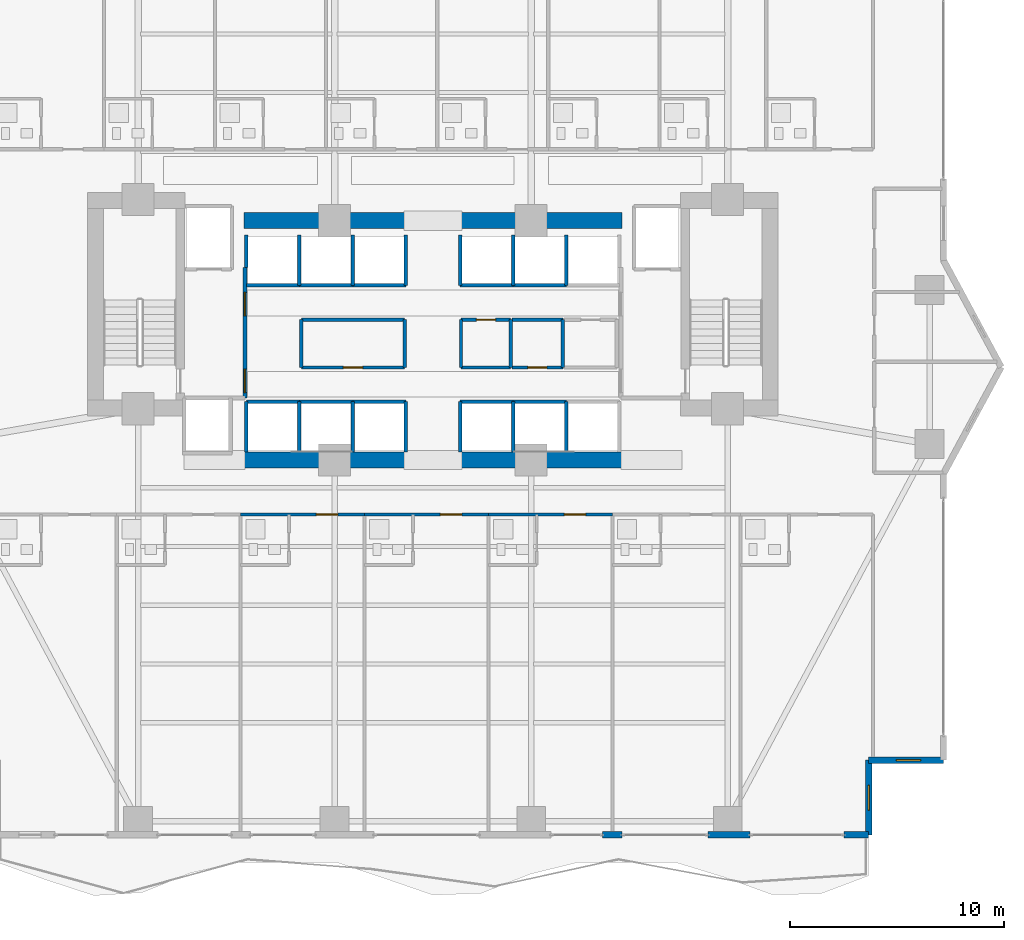
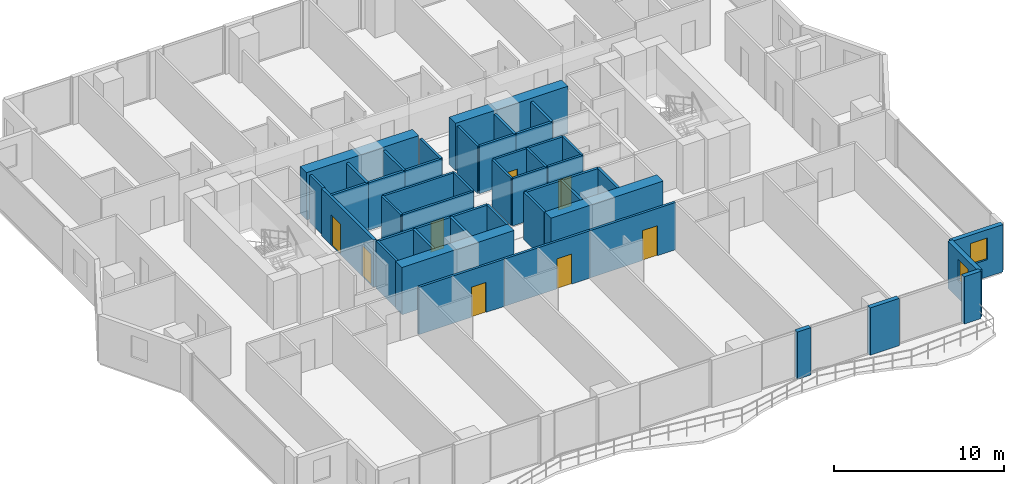
# One storey, part 22 of 29: 48 walls, 8 doors, 2 windows, 10 openings.
"""IFC4 building model written with IfcOpenShell, lengths in metres."""

from ifc_helpers import new_model, si_unit, direction, frame, frame_2d, origin, place, context, subcontext, project, spatial, rectangle, extrude, material, layer, layer_set, type_object, element, fill, save


model = new_model("IFC4")

# Units and contexts
model_context = context("Model", 3, precision=1e-05, world=origin(), true_north=direction((0.0, 1.0)))
body_context = subcontext(model_context, "Body", "Model", "MODEL_VIEW")
ifc_project = project(units=[si_unit("LENGTHUNIT", "METRE"), si_unit("AREAUNIT", "SQUARE_METRE"), si_unit("VOLUMEUNIT", "CUBIC_METRE"), si_unit("PLANEANGLEUNIT", "RADIAN"), si_unit("MASSUNIT", "GRAM", prefix="KILO")], contexts=[model_context])

# Site, building, storey
site_placement = place(None, origin())
site = spatial("IfcSite", under=ifc_project, at=site_placement, CompositionType="ELEMENT")
building_placement = place(site_placement, origin())
building = spatial("IfcBuilding", under=site, at=building_placement, Name="Zuhayl Quay Hotel", CompositionType="ELEMENT")
storey_placement = place(building_placement, frame((0.0, 0.0, 158.550048828125)))
storey = spatial("IfcBuildingStorey", under=building, at=storey_placement, Name="L40", CompositionType="ELEMENT", Elevation=158.550048828125)

# Walls
ifc_material_1 = material(Name="Concrete C60/75", Category="concrete")
ifc_layer_1 = layer(ifc_material_1, 0.75, Name="Concrete C60/75", Category="concrete")
ifc_layer_set_1 = layer_set([ifc_layer_1], Name="Concrete C60/75")
wall_type_1 = type_object("IfcWallType", Name="WL_CORE_750", PredefinedType="SHEAR", material=ifc_layer_set_1)
for number, where, z_axis, x_axis, name in (
    (1, (-8.85009765625, 2.14990234375, 0.0), (0.0, 0.0, 1.0), (1.0, 0.0, 0.0), "L40 Core Shear Wall CW_SC_W"),
    (2, (1.25, 2.14990234375, 0.0), (0.0, 0.0, 1.0), (1.0, 0.0, 0.0), "L40 Core Shear Wall CW_SC_E"),
    (3, (-8.85009765625, 13.35009765625, 0.0), (0.0, 0.0, 1.0), (1.0, 0.0, 0.0), "L40 Core Shear Wall CW_NC_W"),
    (4, (1.25, 13.35009765625, 0.0), (0.0, 0.0, 1.0), (1.0, 0.0, 0.0), "L40 Core Shear Wall CW_NC_E"),
):
    element("IfcWall", number, at=place(storey_placement, frame(where, z_axis=z_axis, x_axis=x_axis)), inside=storey, type_object=wall_type_1, Name=name, PredefinedType="SHEAR", context=body_context, shape_type="SweptSolid", body=[
        extrude(rectangle(XDim=7.60009765625, YDim=0.75, at=frame_2d((3.800048828125, 0.0))), origin(), (0.0, 0.0, 1.0), 3.389892578125),
    ])

# Wall, opening, window
ifc_material_2 = material(Name="Precast concrete C45/55", Category="concrete")
ifc_layer_2 = layer(ifc_material_2, 0.300048828125, Name="Precast concrete C45/55", Category="concrete")
ifc_layer_set_2 = layer_set([ifc_layer_2], Name="Precast concrete C45/55")
wall_type_2 = type_object("IfcWallType", Name="WL_EXT_300", PredefinedType="STANDARD", material=ifc_layer_set_2)
wall_1_placement = place(storey_placement, frame((23.89990234375, -11.89990234375, 0.0), z_axis=(0.0, 0.0, 1.0), x_axis=(-1.0, 0.0, 0.0)))
wall_1 = element("IfcWall", 5, at=wall_1_placement, inside=storey, type_object=wall_type_2, Name="L40 Exterior Precast Wall ENV_L40_EW15", PredefinedType="STANDARD", context=body_context, shape_type="SweptSolid", body=[
    extrude(rectangle(XDim=3.5, YDim=0.300048828125, at=frame_2d((1.75, 0.0))), origin(), (0.0, 0.0, 1.0), 3.389892578125),
])
opening_1_placement = place(wall_1_placement, frame((1.06494140625, 0.0, 1.25)))
opening_1 = element("IfcOpeningElement", 6, at=opening_1_placement, cuts=wall_1, Name="Opening W01N", PredefinedType="OPENING", context=body_context, shape_type="SweptSolid", body=[
    extrude(rectangle(XDim=1.14990234375, YDim=1.550048828125, at=frame_2d((0.574951171875, 0.77490234375))), frame((0.0, 0.159912109375, 0.0), z_axis=(0.0, -1.0, 0.0), x_axis=(1.0, 0.0, 0.0)), (0.0, 0.0, 1.0), 0.320068359375),
])
ifc_material_3 = material(Name="Dark Ceramic-Fritted Solar Glass", Category="glass")
window_type = type_object("IfcWindowType", Name="WN_NOTCH_1350", PartitioningType="SINGLE_PANEL", PredefinedType="WINDOW", material=ifc_material_3)
window_1_placement = place(opening_1_placement, origin())
window_1 = element("IfcWindow", 7, at=window_1_placement, inside=storey, type_object=window_type, Name="L40 Corner Notch Window 15", OverallHeight=1.550048828125, OverallWidth=1.14990234375, PartitioningType="SINGLE_PANEL", PredefinedType="WINDOW", context=body_context, shape_type="SweptSolid", body=[
    extrude(rectangle(XDim=1.14990234375, YDim=1.550048828125, at=frame_2d((0.574951171875, 0.77490234375))), frame((0.0, 0.030029296875, 0.0), z_axis=(0.0, -1.0, 0.0), x_axis=(1.0, 0.0, 0.0)), (0.0, 0.0, 1.0), 0.06005859375),
])
fill(opening_1, window_1)

wall_2_placement = place(storey_placement, frame((20.39990234375, -11.89990234375, 0.0), z_axis=(0.0, 0.0, 1.0), x_axis=(0.0, -1.0, 0.0)))
wall_2 = element("IfcWall", 8, at=wall_2_placement, inside=storey, type_object=wall_type_2, Name="L40 Exterior Precast Wall ENV_L40_EW16", PredefinedType="STANDARD", context=body_context, shape_type="SweptSolid", body=[
    extrude(rectangle(XDim=3.5, YDim=0.300048828125, at=frame_2d((1.75, 0.0))), origin(), (0.0, 0.0, 1.0), 3.389892578125),
])
opening_2_placement = place(wall_2_placement, frame((1.18505859375, 0.0, 1.25)))
opening_2 = element("IfcOpeningElement", 9, at=opening_2_placement, cuts=wall_2, Name="Opening W01N", PredefinedType="OPENING", context=body_context, shape_type="SweptSolid", body=[
    extrude(rectangle(XDim=1.14990234375, YDim=1.550048828125, at=frame_2d((0.574951171875, 0.77490234375))), frame((0.0, 0.159912109375, 0.0), z_axis=(0.0, -1.0, 0.0), x_axis=(1.0, 0.0, 0.0)), (0.0, 0.0, 1.0), 0.320068359375),
])
window_2_placement = place(opening_2_placement, origin())
window_2 = element("IfcWindow", 10, at=window_2_placement, inside=storey, type_object=window_type, Name="L40 Corner Notch Window 16", OverallHeight=1.550048828125, OverallWidth=1.14990234375, PartitioningType="SINGLE_PANEL", PredefinedType="WINDOW", context=body_context, shape_type="SweptSolid", body=[
    extrude(rectangle(XDim=1.14990234375, YDim=1.550048828125, at=frame_2d((0.574951171875, 0.77490234375))), frame((0.0, 0.030029296875, 0.0), z_axis=(0.0, -1.0, 0.0), x_axis=(1.0, 0.0, 0.0)), (0.0, 0.0, 1.0), 0.06005859375),
])
fill(opening_2, window_2)

# Walls
wall_3_placement = place(storey_placement, frame((20.39990234375, -15.39990234375, 0.0), z_axis=(0.0, 0.0, 1.0), x_axis=(-1.0, 0.0, 0.0)))
element("IfcWall", 11, at=wall_3_placement, inside=storey, type_object=wall_type_2, Name="L40 Exterior Precast Wall ENV_L40_S_EW1", PredefinedType="STANDARD", context=body_context, shape_type="SweptSolid", body=[
    extrude(rectangle(XDim=1.14990234375, YDim=0.300048828125, at=frame_2d((0.574951171875, 0.0))), origin(), (0.0, 0.0, 1.0), 3.389892578125),
])
wall_4_placement = place(storey_placement, frame((14.85009765625, -15.39990234375, 0.0), z_axis=(0.0, 0.0, 1.0), x_axis=(-1.0, 0.0, 0.0)))
element("IfcWall", 12, at=wall_4_placement, inside=storey, type_object=wall_type_2, Name="L40 Exterior Precast Wall ENV_L40_S_EW2", PredefinedType="STANDARD", context=body_context, shape_type="SweptSolid", body=[
    extrude(rectangle(XDim=1.97021484375, YDim=0.300048828125, at=frame_2d((0.985107421875, 0.0))), origin(), (0.0, 0.0, 1.0), 3.389892578125),
])
wall_5_placement = place(storey_placement, frame((8.85009765625, -15.39990234375, 0.0), z_axis=(0.0, 0.0, 1.0), x_axis=(-1.0, 0.0, 0.0)))
element("IfcWall", 13, at=wall_5_placement, inside=storey, type_object=wall_type_2, Name="L40 Exterior Precast Wall ENV_L40_S_EW3", PredefinedType="STANDARD", context=body_context, shape_type="SweptSolid", body=[
    extrude(rectangle(XDim=0.900146484375, YDim=0.300048828125, at=frame_2d((0.4501953125, 0.0))), origin(), (0.0, 0.0, 1.0), 3.389892578125),
])

# Wall, opening, door
ifc_material_4 = material(Name="Acoustic Gypsum Partition STC-58")
ifc_layer_3 = layer(ifc_material_4, 0.14990234375, Name="Acoustic Gypsum Partition STC-58")
ifc_layer_set_3 = layer_set([ifc_layer_3], Name="Acoustic Gypsum Partition STC-58")
wall_type_3 = type_object("IfcWallType", Name="WL_PART_150", PredefinedType="PARTITIONING", material=ifc_layer_set_3)
wall_6_placement = place(storey_placement, frame((-6.159912109375, 6.47998046875, 0.0), z_axis=(0.0, 0.0, 1.0), x_axis=(1.0, 0.0, 0.0)))
wall_6 = element("IfcWall", 14, at=wall_6_placement, inside=storey, type_object=wall_type_3, Name="L40 Partition IW_L40_CORE_SV_S", PredefinedType="PARTITIONING", context=body_context, shape_type="SweptSolid", body=[
    extrude(rectangle(XDim=4.83984375, YDim=0.14990234375, at=frame_2d((2.419921875, 0.0))), origin(), (0.0, 0.0, 1.0), 3.389892578125),
])
opening_3_placement = place(wall_6_placement, frame((1.969970703125, 0.0, 0.0)))
opening_3 = element("IfcOpeningElement", 15, at=opening_3_placement, cuts=wall_6, Name="Opening D06", PredefinedType="OPENING", context=body_context, shape_type="SweptSolid", body=[
    extrude(rectangle(XDim=0.89990234375, YDim=2.14990234375, at=frame_2d((0.449951171875, 1.074951171875))), frame((0.0, 0.0849609375, 0.0), z_axis=(0.0, -1.0, 0.0), x_axis=(1.0, 0.0, 0.0)), (0.0, 0.0, 1.0), 0.169921875),
])
ifc_material_5 = material(Name="Steel ASTM A992 Grade 50", Category="steel")
door_type_1 = type_object("IfcDoorType", Name="DR_INT_900", OperationType="NOTDEFINED", PredefinedType="DOOR", material=ifc_material_5)
door_1_placement = place(opening_3_placement, origin())
door_1 = element("IfcDoor", 16, at=door_1_placement, inside=storey, type_object=door_type_1, Name="L40 Core Ice and Linen Store Door", OperationType="SINGLE_SWING_LEFT", OverallHeight=2.14990234375, OverallWidth=0.89990234375, PredefinedType="DOOR", context=body_context, shape_type="SweptSolid", body=[
    extrude(rectangle(XDim=0.89990234375, YDim=2.14990234375, at=frame_2d((0.449951171875, 1.074951171875))), frame((0.0, 0.02490234375, 0.0), z_axis=(0.0, -1.0, 0.0), x_axis=(1.0, 0.0, 0.0)), (0.0, 0.0, 1.0), 0.050048828125),
])
fill(opening_3, door_1)

wall_7_placement = place(storey_placement, frame((1.320068359375, 8.719970703125, 0.0), z_axis=(0.0, 0.0, 1.0), x_axis=(1.0, 0.0, 0.0)))
wall_7 = element("IfcWall", 17, at=wall_7_placement, inside=storey, type_object=wall_type_3, Name="L40 Partition IW_L40_CORE_E1_N", PredefinedType="PARTITIONING", context=body_context, shape_type="SweptSolid", body=[
    extrude(rectangle(XDim=2.31982421875, YDim=0.14990234375, at=frame_2d((1.159912109375, 0.0))), origin(), (0.0, 0.0, 1.0), 3.389892578125),
])
opening_4_placement = place(wall_7_placement, frame((0.7099609375, 0.0, 0.0)))
opening_4 = element("IfcOpeningElement", 18, at=opening_4_placement, cuts=wall_7, Name="Opening D06", PredefinedType="OPENING", context=body_context, shape_type="SweptSolid", body=[
    extrude(rectangle(XDim=0.89990234375, YDim=2.14990234375, at=frame_2d((0.449951171875, 1.074951171875))), frame((0.0, 0.0849609375, 0.0), z_axis=(0.0, -1.0, 0.0), x_axis=(1.0, 0.0, 0.0)), (0.0, 0.0, 1.0), 0.169921875),
])
door_2_placement = place(opening_4_placement, origin())
door_2 = element("IfcDoor", 19, at=door_2_placement, inside=storey, type_object=door_type_1, Name="L40 Floor Electrical Closet Door", OperationType="SINGLE_SWING_RIGHT", OverallHeight=2.14990234375, OverallWidth=0.89990234375, PredefinedType="DOOR", context=body_context, shape_type="SweptSolid", body=[
    extrude(rectangle(XDim=0.89990234375, YDim=2.14990234375, at=frame_2d((0.449951171875, 1.074951171875))), frame((0.0, 0.02490234375, 0.0), z_axis=(0.0, -1.0, 0.0), x_axis=(1.0, 0.0, 0.0)), (0.0, 0.0, 1.0), 0.050048828125),
])
fill(opening_4, door_2)

wall_8_placement = place(storey_placement, frame((3.699951171875, 6.47998046875, 0.0), z_axis=(0.0, 0.0, 1.0), x_axis=(1.0, 0.0, 0.0)))
wall_8 = element("IfcWall", 20, at=wall_8_placement, inside=storey, type_object=wall_type_3, Name="L40 Partition IW_L40_CORE_E2_S", PredefinedType="PARTITIONING", context=body_context, shape_type="SweptSolid", body=[
    extrude(rectangle(XDim=2.380126953125, YDim=0.14990234375, at=frame_2d((1.18994140625, 0.0))), origin(), (0.0, 0.0, 1.0), 3.389892578125),
])
opening_5_placement = place(wall_8_placement, frame((0.739990234375, 0.0, 0.0)))
opening_5 = element("IfcOpeningElement", 21, at=opening_5_placement, cuts=wall_8, Name="Opening D06", PredefinedType="OPENING", context=body_context, shape_type="SweptSolid", body=[
    extrude(rectangle(XDim=0.89990234375, YDim=2.14990234375, at=frame_2d((0.449951171875, 1.074951171875))), frame((0.0, 0.0849609375, 0.0), z_axis=(0.0, -1.0, 0.0), x_axis=(1.0, 0.0, 0.0)), (0.0, 0.0, 1.0), 0.169921875),
])
door_3_placement = place(opening_5_placement, origin())
door_3 = element("IfcDoor", 22, at=door_3_placement, inside=storey, type_object=door_type_1, Name="L40 Data Closet Door", OperationType="SINGLE_SWING_LEFT", OverallHeight=2.14990234375, OverallWidth=0.89990234375, PredefinedType="DOOR", context=body_context, shape_type="SweptSolid", body=[
    extrude(rectangle(XDim=0.89990234375, YDim=2.14990234375, at=frame_2d((0.449951171875, 1.074951171875))), frame((0.0, 0.02490234375, 0.0), z_axis=(0.0, -1.0, 0.0), x_axis=(1.0, 0.0, 0.0)), (0.0, 0.0, 1.0), 0.050048828125),
])
fill(opening_5, door_3)

# Walls
wall_9_placement = place(storey_placement, frame((-6.159912109375, 8.719970703125, 0.0), z_axis=(0.0, 0.0, 1.0), x_axis=(1.0, 0.0, 0.0)))
element("IfcWall", 23, at=wall_9_placement, inside=storey, type_object=wall_type_3, Name="L40 Partition IW_L40_CORE_SV_N", PredefinedType="PARTITIONING", context=body_context, shape_type="SweptSolid", body=[
    extrude(rectangle(XDim=4.83984375, YDim=0.14990234375, at=frame_2d((2.419921875, 0.0))), origin(), (0.0, 0.0, 1.0), 3.389892578125),
])
for number, where, z_axis, x_axis, name in (
    (24, (-6.159912109375, 6.47998046875, 0.0), (0.0, 0.0, 1.0), (0.0, 1.0, 0.0), "L40 Partition IW_L40_CORE_SV_W"),
    (25, (-1.320068359375, 6.47998046875, 0.0), (0.0, 0.0, 1.0), (0.0, 1.0, 0.0), "L40 Partition IW_L40_CORE_SV_E"),
):
    element("IfcWall", number, at=place(storey_placement, frame(where, z_axis=z_axis, x_axis=x_axis)), inside=storey, type_object=wall_type_3, Name=name, PredefinedType="PARTITIONING", context=body_context, shape_type="SweptSolid", body=[
        extrude(rectangle(XDim=2.239990234375, YDim=0.14990234375, at=frame_2d((1.1201171875, 0.0))), origin(), (0.0, 0.0, 1.0), 3.389892578125),
    ])
wall_10_placement = place(storey_placement, frame((1.320068359375, 6.47998046875, 0.0), z_axis=(0.0, 0.0, 1.0), x_axis=(1.0, 0.0, 0.0)))
element("IfcWall", 26, at=wall_10_placement, inside=storey, type_object=wall_type_3, Name="L40 Partition IW_L40_CORE_E1_S", PredefinedType="PARTITIONING", context=body_context, shape_type="SweptSolid", body=[
    extrude(rectangle(XDim=2.31982421875, YDim=0.14990234375, at=frame_2d((1.159912109375, 0.0))), origin(), (0.0, 0.0, 1.0), 3.389892578125),
])
for number, where, z_axis, x_axis, name in (
    (27, (1.320068359375, 6.47998046875, 0.0), (0.0, 0.0, 1.0), (0.0, 1.0, 0.0), "L40 Partition IW_L40_CORE_E1_W"),
    (28, (3.639892578125, 6.47998046875, 0.0), (0.0, 0.0, 1.0), (0.0, 1.0, 0.0), "L40 Partition IW_L40_CORE_E1_E"),
):
    element("IfcWall", number, at=place(storey_placement, frame(where, z_axis=z_axis, x_axis=x_axis)), inside=storey, type_object=wall_type_3, Name=name, PredefinedType="PARTITIONING", context=body_context, shape_type="SweptSolid", body=[
        extrude(rectangle(XDim=2.239990234375, YDim=0.14990234375, at=frame_2d((1.1201171875, 0.0))), origin(), (0.0, 0.0, 1.0), 3.389892578125),
    ])
wall_11_placement = place(storey_placement, frame((3.699951171875, 8.719970703125, 0.0), z_axis=(0.0, 0.0, 1.0), x_axis=(1.0, 0.0, 0.0)))
element("IfcWall", 29, at=wall_11_placement, inside=storey, type_object=wall_type_3, Name="L40 Partition IW_L40_CORE_E2_N", PredefinedType="PARTITIONING", context=body_context, shape_type="SweptSolid", body=[
    extrude(rectangle(XDim=2.380126953125, YDim=0.14990234375, at=frame_2d((1.18994140625, 0.0))), origin(), (0.0, 0.0, 1.0), 3.389892578125),
])
wall_12_placement = place(storey_placement, frame((6.080078125, 6.47998046875, 0.0), z_axis=(0.0, 0.0, 1.0), x_axis=(0.0, 1.0, 0.0)))
element("IfcWall", 30, at=wall_12_placement, inside=storey, type_object=wall_type_3, Name="L40 Partition IW_L40_CORE_E2_E", PredefinedType="PARTITIONING", context=body_context, shape_type="SweptSolid", body=[
    extrude(rectangle(XDim=2.239990234375, YDim=0.14990234375, at=frame_2d((1.1201171875, 0.0))), origin(), (0.0, 0.0, 1.0), 3.389892578125),
])

# Wall, opening, door
ifc_layer_4 = layer(ifc_material_4, 0.159912109375, Name="Acoustic Gypsum Partition STC-58")
ifc_layer_set_4 = layer_set([ifc_layer_4], Name="Acoustic Gypsum Partition STC-58")
wall_type_4 = type_object("IfcWallType", Name="WL_PART_CORR_160", PredefinedType="PARTITIONING", material=ifc_layer_set_4)
wall_13_placement = place(storey_placement, frame((-9.0, -0.39990234375, 0.0), z_axis=(0.0, 0.0, 1.0), x_axis=(1.0, 0.0, 0.0)))
wall_13 = element("IfcWall", 31, at=wall_13_placement, inside=storey, type_object=wall_type_4, Name="L40 Partition IW_L40_SU03_COR", PredefinedType="PARTITIONING", context=body_context, shape_type="SweptSolid", body=[
    extrude(rectangle(XDim=5.800048828125, YDim=0.159912109375, at=frame_2d((2.89990234375, 0.0))), origin(), (0.0, 0.0, 1.0), 3.389892578125),
])
opening_6_placement = place(wall_13_placement, frame((3.550048828125, 0.0, 0.0)))
opening_6 = element("IfcOpeningElement", 32, at=opening_6_placement, cuts=wall_13, Name="Opening D03L", PredefinedType="OPENING", context=body_context, shape_type="SweptSolid", body=[
    extrude(rectangle(XDim=1.0, YDim=2.14990234375, at=frame_2d((0.5, 1.074951171875))), frame((0.0, 0.08984375, 0.0), z_axis=(0.0, -1.0, 0.0), x_axis=(1.0, 0.0, 0.0)), (0.0, 0.0, 1.0), 0.179931640625),
])
ifc_material_6 = material(Name="Solid Walnut Acoustic Fire Door")
door_type_2 = type_object("IfcDoorType", Name="DR_SUITE_1000", OperationType="NOTDEFINED", PredefinedType="DOOR", material=ifc_material_6)
door_4_placement = place(opening_6_placement, origin())
door_4 = element("IfcDoor", 33, at=door_4_placement, inside=storey, type_object=door_type_2, Name="L40 Premier Twin Junior Suite L40-03 Entrance Door", OperationType="SINGLE_SWING_RIGHT", OverallHeight=2.14990234375, OverallWidth=1.0, PredefinedType="DOOR", context=body_context, shape_type="SweptSolid", body=[
    extrude(rectangle(XDim=1.0, YDim=2.14990234375, at=frame_2d((0.5, 1.074951171875))), frame((0.0, 0.02490234375, 0.0), z_axis=(0.0, -1.0, 0.0), x_axis=(1.0, 0.0, 0.0)), (0.0, 0.0, 1.0), 0.050048828125),
])
fill(opening_6, door_4)

wall_14_placement = place(storey_placement, frame((-3.199951171875, -0.39990234375, 0.0), z_axis=(0.0, 0.0, 1.0), x_axis=(1.0, 0.0, 0.0)))
wall_14 = element("IfcWall", 34, at=wall_14_placement, inside=storey, type_object=wall_type_4, Name="L40 Partition IW_L40_SU04_COR", PredefinedType="PARTITIONING", context=body_context, shape_type="SweptSolid", body=[
    extrude(rectangle(XDim=5.800048828125, YDim=0.159912109375, at=frame_2d((2.89990234375, 0.0))), origin(), (0.0, 0.0, 1.0), 3.389892578125),
])
opening_7_placement = place(wall_14_placement, frame((3.550048828125, 0.0, 0.0)))
opening_7 = element("IfcOpeningElement", 35, at=opening_7_placement, cuts=wall_14, Name="Opening D03L", PredefinedType="OPENING", context=body_context, shape_type="SweptSolid", body=[
    extrude(rectangle(XDim=1.0, YDim=2.14990234375, at=frame_2d((0.5, 1.074951171875))), frame((0.0, 0.08984375, 0.0), z_axis=(0.0, -1.0, 0.0), x_axis=(1.0, 0.0, 0.0)), (0.0, 0.0, 1.0), 0.179931640625),
])
door_5_placement = place(opening_7_placement, origin())
door_5 = element("IfcDoor", 36, at=door_5_placement, inside=storey, type_object=door_type_2, Name="L40 Premier Twin Junior Suite L40-04 Entrance Door", OperationType="SINGLE_SWING_RIGHT", OverallHeight=2.14990234375, OverallWidth=1.0, PredefinedType="DOOR", context=body_context, shape_type="SweptSolid", body=[
    extrude(rectangle(XDim=1.0, YDim=2.14990234375, at=frame_2d((0.5, 1.074951171875))), frame((0.0, 0.02490234375, 0.0), z_axis=(0.0, -1.0, 0.0), x_axis=(1.0, 0.0, 0.0)), (0.0, 0.0, 1.0), 0.050048828125),
])
fill(opening_7, door_5)

wall_15_placement = place(storey_placement, frame((2.60009765625, -0.39990234375, 0.0), z_axis=(0.0, 0.0, 1.0), x_axis=(1.0, 0.0, 0.0)))
wall_15 = element("IfcWall", 37, at=wall_15_placement, inside=storey, type_object=wall_type_4, Name="L40 Partition IW_L40_SU05_COR", PredefinedType="PARTITIONING", context=body_context, shape_type="SweptSolid", body=[
    extrude(rectangle(XDim=5.7998046875, YDim=0.159912109375, at=frame_2d((2.89990234375, 0.0))), origin(), (0.0, 0.0, 1.0), 3.389892578125),
])
opening_8_placement = place(wall_15_placement, frame((3.550048828125, 0.0, 0.0)))
opening_8 = element("IfcOpeningElement", 38, at=opening_8_placement, cuts=wall_15, Name="Opening D03L", PredefinedType="OPENING", context=body_context, shape_type="SweptSolid", body=[
    extrude(rectangle(XDim=1.0, YDim=2.14990234375, at=frame_2d((0.5, 1.074951171875))), frame((0.0, 0.08984375, 0.0), z_axis=(0.0, -1.0, 0.0), x_axis=(1.0, 0.0, 0.0)), (0.0, 0.0, 1.0), 0.179931640625),
])
door_6_placement = place(opening_8_placement, origin())
door_6 = element("IfcDoor", 39, at=door_6_placement, inside=storey, type_object=door_type_2, Name="L40 Premier Twin Junior Suite L40-05 Entrance Door", OperationType="SINGLE_SWING_RIGHT", OverallHeight=2.14990234375, OverallWidth=1.0, PredefinedType="DOOR", context=body_context, shape_type="SweptSolid", body=[
    extrude(rectangle(XDim=1.0, YDim=2.14990234375, at=frame_2d((0.5, 1.074951171875))), frame((0.0, 0.02490234375, 0.0), z_axis=(0.0, -1.0, 0.0), x_axis=(1.0, 0.0, 0.0)), (0.0, 0.0, 1.0), 0.050048828125),
])
fill(opening_8, door_6)

# Walls
ifc_material_7 = material(Name="Gypsum Fireboard Assembly EI-90")
ifc_layer_5 = layer(ifc_material_7, 0.1650390625, Name="Gypsum Fireboard Assembly EI-90")
ifc_layer_set_5 = layer_set([ifc_layer_5], Name="Gypsum Fireboard Assembly EI-90")
wall_type_5 = type_object("IfcWallType", Name="WL_PART_SHAFT_160", PredefinedType="PARTITIONING", material=ifc_layer_set_5)
wall_16_placement = place(storey_placement, frame((-8.72998046875, 4.8798828125, 0.0), z_axis=(0.0, 0.0, 1.0), x_axis=(1.0, 0.0, 0.0)))
element("IfcWall", 40, at=wall_16_placement, inside=storey, type_object=wall_type_5, Name="L40 Partition IW_L40_SH_LP1_F", PredefinedType="PARTITIONING", context=body_context, shape_type="SweptSolid", body=[
    extrude(rectangle(XDim=2.47998046875, YDim=0.1650390625, at=frame_2d((1.239990234375, 0.0))), origin(), (0.0, 0.0, 1.0), 3.389892578125),
])
for number, where, z_axis, x_axis, name in (
    (41, (-8.72998046875, 2.52001953125, 0.0), (0.0, 0.0, 1.0), (0.0, 1.0, 0.0), "L40 Partition IW_L40_SH_LP1_W"),
    (42, (-6.25, 2.52001953125, 0.0), (0.0, 0.0, 1.0), (0.0, 1.0, 0.0), "L40 Partition IW_L40_SH_LP1_E"),
):
    element("IfcWall", number, at=place(storey_placement, frame(where, z_axis=z_axis, x_axis=x_axis)), inside=storey, type_object=wall_type_5, Name=name, PredefinedType="PARTITIONING", context=body_context, shape_type="SweptSolid", body=[
        extrude(rectangle(XDim=2.35986328125, YDim=0.1650390625, at=frame_2d((1.179931640625, 0.0))), origin(), (0.0, 0.0, 1.0), 3.389892578125),
    ])
wall_17_placement = place(storey_placement, frame((-6.25, 4.8798828125, 0.0), z_axis=(0.0, 0.0, 1.0), x_axis=(1.0, 0.0, 0.0)))
element("IfcWall", 43, at=wall_17_placement, inside=storey, type_object=wall_type_5, Name="L40 Partition IW_L40_SH_LP2_F", PredefinedType="PARTITIONING", context=body_context, shape_type="SweptSolid", body=[
    extrude(rectangle(XDim=2.5, YDim=0.1650390625, at=frame_2d((1.25, 0.0))), origin(), (0.0, 0.0, 1.0), 3.389892578125),
])
wall_18_placement = place(storey_placement, frame((-3.75, 2.52001953125, 0.0), z_axis=(0.0, 0.0, 1.0), x_axis=(0.0, 1.0, 0.0)))
element("IfcWall", 44, at=wall_18_placement, inside=storey, type_object=wall_type_5, Name="L40 Partition IW_L40_SH_LP2_E", PredefinedType="PARTITIONING", context=body_context, shape_type="SweptSolid", body=[
    extrude(rectangle(XDim=2.35986328125, YDim=0.1650390625, at=frame_2d((1.179931640625, 0.0))), origin(), (0.0, 0.0, 1.0), 3.389892578125),
])
wall_19_placement = place(storey_placement, frame((-8.72998046875, 10.320068359375, 0.0), z_axis=(0.0, 0.0, 1.0), x_axis=(1.0, 0.0, 0.0)))
element("IfcWall", 45, at=wall_19_placement, inside=storey, type_object=wall_type_5, Name="L40 Partition IW_L40_SH_LP3_F", PredefinedType="PARTITIONING", context=body_context, shape_type="SweptSolid", body=[
    extrude(rectangle(XDim=2.47998046875, YDim=0.1650390625, at=frame_2d((1.239990234375, 0.0))), origin(), (0.0, 0.0, 1.0), 3.389892578125),
])
wall_20_placement = place(storey_placement, frame((-8.72998046875, 11.14990234375, 0.0), z_axis=(0.0, 0.0, 1.0), x_axis=(0.0, 1.0, 0.0)))
element("IfcWall", 46, at=wall_20_placement, inside=storey, type_object=wall_type_5, Name="L40 Partition IW_L40_SH_LP3_W", PredefinedType="PARTITIONING", context=body_context, shape_type="SweptSolid", body=[
    extrude(rectangle(XDim=1.530029296875, YDim=0.1650390625, at=frame_2d((0.76513671875, 0.0))), origin(), (0.0, 0.0, 1.0), 3.389892578125),
])
wall_21_placement = place(storey_placement, frame((-6.25, 10.320068359375, 0.0), z_axis=(0.0, 0.0, 1.0), x_axis=(0.0, 1.0, 0.0)))
element("IfcWall", 47, at=wall_21_placement, inside=storey, type_object=wall_type_5, Name="L40 Partition IW_L40_SH_LP3_E", PredefinedType="PARTITIONING", context=body_context, shape_type="SweptSolid", body=[
    extrude(rectangle(XDim=2.35986328125, YDim=0.1650390625, at=frame_2d((1.179931640625, 0.0))), origin(), (0.0, 0.0, 1.0), 3.389892578125),
])
wall_22_placement = place(storey_placement, frame((-6.25, 10.320068359375, 0.0), z_axis=(0.0, 0.0, 1.0), x_axis=(1.0, 0.0, 0.0)))
element("IfcWall", 48, at=wall_22_placement, inside=storey, type_object=wall_type_5, Name="L40 Partition IW_L40_SH_LP4_F", PredefinedType="PARTITIONING", context=body_context, shape_type="SweptSolid", body=[
    extrude(rectangle(XDim=2.5, YDim=0.1650390625, at=frame_2d((1.25, 0.0))), origin(), (0.0, 0.0, 1.0), 3.389892578125),
])
wall_23_placement = place(storey_placement, frame((-3.75, 10.320068359375, 0.0), z_axis=(0.0, 0.0, 1.0), x_axis=(0.0, 1.0, 0.0)))
element("IfcWall", 49, at=wall_23_placement, inside=storey, type_object=wall_type_5, Name="L40 Partition IW_L40_SH_LP4_E", PredefinedType="PARTITIONING", context=body_context, shape_type="SweptSolid", body=[
    extrude(rectangle(XDim=2.35986328125, YDim=0.1650390625, at=frame_2d((1.179931640625, 0.0))), origin(), (0.0, 0.0, 1.0), 3.389892578125),
])
wall_24_placement = place(storey_placement, frame((-3.75, 4.8798828125, 0.0), z_axis=(0.0, 0.0, 1.0), x_axis=(1.0, 0.0, 0.0)))
element("IfcWall", 50, at=wall_24_placement, inside=storey, type_object=wall_type_5, Name="L40 Partition IW_L40_SH_MP1_F", PredefinedType="PARTITIONING", context=body_context, shape_type="SweptSolid", body=[
    extrude(rectangle(XDim=2.47998046875, YDim=0.1650390625, at=frame_2d((1.239990234375, 0.0))), origin(), (0.0, 0.0, 1.0), 3.389892578125),
])
wall_25_placement = place(storey_placement, frame((-1.27001953125, 2.52001953125, 0.0), z_axis=(0.0, 0.0, 1.0), x_axis=(0.0, 1.0, 0.0)))
element("IfcWall", 51, at=wall_25_placement, inside=storey, type_object=wall_type_5, Name="L40 Partition IW_L40_SH_MP1_E", PredefinedType="PARTITIONING", context=body_context, shape_type="SweptSolid", body=[
    extrude(rectangle(XDim=2.35986328125, YDim=0.1650390625, at=frame_2d((1.179931640625, 0.0))), origin(), (0.0, 0.0, 1.0), 3.389892578125),
])
wall_26_placement = place(storey_placement, frame((1.27001953125, 4.8798828125, 0.0), z_axis=(0.0, 0.0, 1.0), x_axis=(1.0, 0.0, 0.0)))
element("IfcWall", 52, at=wall_26_placement, inside=storey, type_object=wall_type_5, Name="L40 Partition IW_L40_SH_MP2_F", PredefinedType="PARTITIONING", context=body_context, shape_type="SweptSolid", body=[
    extrude(rectangle(XDim=2.47998046875, YDim=0.1650390625, at=frame_2d((1.239990234375, 0.0))), origin(), (0.0, 0.0, 1.0), 3.389892578125),
])
for number, where, z_axis, x_axis, name in (
    (53, (1.27001953125, 2.52001953125, 0.0), (0.0, 0.0, 1.0), (0.0, 1.0, 0.0), "L40 Partition IW_L40_SH_MP2_W"),
    (54, (3.75, 2.52001953125, 0.0), (0.0, 0.0, 1.0), (0.0, 1.0, 0.0), "L40 Partition IW_L40_SH_MP2_E"),
):
    element("IfcWall", number, at=place(storey_placement, frame(where, z_axis=z_axis, x_axis=x_axis)), inside=storey, type_object=wall_type_5, Name=name, PredefinedType="PARTITIONING", context=body_context, shape_type="SweptSolid", body=[
        extrude(rectangle(XDim=2.35986328125, YDim=0.1650390625, at=frame_2d((1.179931640625, 0.0))), origin(), (0.0, 0.0, 1.0), 3.389892578125),
    ])
wall_27_placement = place(storey_placement, frame((-3.75, 10.320068359375, 0.0), z_axis=(0.0, 0.0, 1.0), x_axis=(1.0, 0.0, 0.0)))
element("IfcWall", 55, at=wall_27_placement, inside=storey, type_object=wall_type_5, Name="L40 Partition IW_L40_SH_MP3_F", PredefinedType="PARTITIONING", context=body_context, shape_type="SweptSolid", body=[
    extrude(rectangle(XDim=2.47998046875, YDim=0.1650390625, at=frame_2d((1.239990234375, 0.0))), origin(), (0.0, 0.0, 1.0), 3.389892578125),
])
wall_28_placement = place(storey_placement, frame((-1.27001953125, 10.320068359375, 0.0), z_axis=(0.0, 0.0, 1.0), x_axis=(0.0, 1.0, 0.0)))
element("IfcWall", 56, at=wall_28_placement, inside=storey, type_object=wall_type_5, Name="L40 Partition IW_L40_SH_MP3_E", PredefinedType="PARTITIONING", context=body_context, shape_type="SweptSolid", body=[
    extrude(rectangle(XDim=2.35986328125, YDim=0.1650390625, at=frame_2d((1.179931640625, 0.0))), origin(), (0.0, 0.0, 1.0), 3.389892578125),
])
wall_29_placement = place(storey_placement, frame((1.27001953125, 10.320068359375, 0.0), z_axis=(0.0, 0.0, 1.0), x_axis=(1.0, 0.0, 0.0)))
element("IfcWall", 57, at=wall_29_placement, inside=storey, type_object=wall_type_5, Name="L40 Partition IW_L40_SH_MP4_F", PredefinedType="PARTITIONING", context=body_context, shape_type="SweptSolid", body=[
    extrude(rectangle(XDim=2.47998046875, YDim=0.1650390625, at=frame_2d((1.239990234375, 0.0))), origin(), (0.0, 0.0, 1.0), 3.389892578125),
])
for number, where, z_axis, x_axis, name in (
    (58, (1.27001953125, 10.320068359375, 0.0), (0.0, 0.0, 1.0), (0.0, 1.0, 0.0), "L40 Partition IW_L40_SH_MP4_W"),
    (59, (3.75, 10.320068359375, 0.0), (0.0, 0.0, 1.0), (0.0, 1.0, 0.0), "L40 Partition IW_L40_SH_MP4_E"),
):
    element("IfcWall", number, at=place(storey_placement, frame(where, z_axis=z_axis, x_axis=x_axis)), inside=storey, type_object=wall_type_5, Name=name, PredefinedType="PARTITIONING", context=body_context, shape_type="SweptSolid", body=[
        extrude(rectangle(XDim=2.35986328125, YDim=0.1650390625, at=frame_2d((1.179931640625, 0.0))), origin(), (0.0, 0.0, 1.0), 3.389892578125),
    ])
wall_30_placement = place(storey_placement, frame((3.75, 4.8798828125, 0.0), z_axis=(0.0, 0.0, 1.0), x_axis=(1.0, 0.0, 0.0)))
element("IfcWall", 60, at=wall_30_placement, inside=storey, type_object=wall_type_5, Name="L40 Partition IW_L40_SH_HP1_F", PredefinedType="PARTITIONING", context=body_context, shape_type="SweptSolid", body=[
    extrude(rectangle(XDim=2.5, YDim=0.1650390625, at=frame_2d((1.25, 0.0))), origin(), (0.0, 0.0, 1.0), 3.389892578125),
])
wall_31_placement = place(storey_placement, frame((6.25, 2.52001953125, 0.0), z_axis=(0.0, 0.0, 1.0), x_axis=(0.0, 1.0, 0.0)))
element("IfcWall", 61, at=wall_31_placement, inside=storey, type_object=wall_type_5, Name="L40 Partition IW_L40_SH_HP1_E", PredefinedType="PARTITIONING", context=body_context, shape_type="SweptSolid", body=[
    extrude(rectangle(XDim=2.35986328125, YDim=0.1650390625, at=frame_2d((1.179931640625, 0.0))), origin(), (0.0, 0.0, 1.0), 3.389892578125),
])
wall_32_placement = place(storey_placement, frame((3.75, 10.320068359375, 0.0), z_axis=(0.0, 0.0, 1.0), x_axis=(1.0, 0.0, 0.0)))
element("IfcWall", 62, at=wall_32_placement, inside=storey, type_object=wall_type_5, Name="L40 Partition IW_L40_SH_HP3_F", PredefinedType="PARTITIONING", context=body_context, shape_type="SweptSolid", body=[
    extrude(rectangle(XDim=2.5, YDim=0.1650390625, at=frame_2d((1.25, 0.0))), origin(), (0.0, 0.0, 1.0), 3.389892578125),
])
wall_33_placement = place(storey_placement, frame((6.25, 10.320068359375, 0.0), z_axis=(0.0, 0.0, 1.0), x_axis=(0.0, 1.0, 0.0)))
element("IfcWall", 63, at=wall_33_placement, inside=storey, type_object=wall_type_5, Name="L40 Partition IW_L40_SH_HP3_E", PredefinedType="PARTITIONING", context=body_context, shape_type="SweptSolid", body=[
    extrude(rectangle(XDim=2.35986328125, YDim=0.1650390625, at=frame_2d((1.179931640625, 0.0))), origin(), (0.0, 0.0, 1.0), 3.389892578125),
])

# Wall, openings, doors
ifc_material_8 = material(Name="Gypsum Fireboard Assembly EI-120")
ifc_layer_6 = layer(ifc_material_8, 0.199951171875, Name="Gypsum Fireboard Assembly EI-120")
ifc_layer_set_6 = layer_set([ifc_layer_6], Name="Gypsum Fireboard Assembly EI-120")
wall_type_6 = type_object("IfcWallType", Name="WL_PART_SHAFT_200", PredefinedType="PARTITIONING", material=ifc_layer_set_6)
wall_34_placement = place(storey_placement, frame((-8.800048828125, 5.050048828125, 0.0), z_axis=(0.0, 0.0, 1.0), x_axis=(0.0, 1.0, 0.0)))
wall_34 = element("IfcWall", 64, at=wall_34_placement, inside=storey, type_object=wall_type_6, Name="L40 Partition IW_L40_FSAE_W_E", PredefinedType="PARTITIONING", context=body_context, shape_type="SweptSolid", body=[
    extrude(rectangle(XDim=6.099853515625, YDim=0.199951171875, at=frame_2d((3.0498046875, 0.0))), origin(), (0.0, 0.0, 1.0), 3.389892578125),
])
opening_9_placement = place(wall_34_placement, frame((0.25, 0.0, 0.0)))
opening_9 = element("IfcOpeningElement", 65, at=opening_9_placement, cuts=wall_34, Name="Opening D02", PredefinedType="OPENING", context=body_context, shape_type="SweptSolid", body=[
    extrude(rectangle(XDim=1.10009765625, YDim=2.199951171875, at=frame_2d((0.550048828125, 1.10009765625))), frame((0.0, 0.10986328125, 0.0), z_axis=(0.0, -1.0, 0.0), x_axis=(1.0, 0.0, 0.0)), (0.0, 0.0, 1.0), 0.219970703125),
])
opening_10_placement = place(wall_34_placement, frame((3.85009765625, 0.0, 0.0)))
opening_10 = element("IfcOpeningElement", 66, at=opening_10_placement, cuts=wall_34, Name="Opening D02", PredefinedType="OPENING", context=body_context, shape_type="SweptSolid", body=[
    extrude(rectangle(XDim=1.10009765625, YDim=2.199951171875, at=frame_2d((0.550048828125, 1.10009765625))), frame((0.0, 0.10986328125, 0.0), z_axis=(0.0, -1.0, 0.0), x_axis=(1.0, 0.0, 0.0)), (0.0, 0.0, 1.0), 0.219970703125),
])
door_type_3 = type_object("IfcDoorType", Name="DR_FIRE_90_1100", OperationType="NOTDEFINED", PredefinedType="DOOR", material=ifc_material_5)
door_7_placement = place(opening_9_placement, origin())
door_7 = element("IfcDoor", 67, at=door_7_placement, inside=storey, type_object=door_type_3, Name="L40 FSAE Lobby West South Entry Door", OperationType="SINGLE_SWING_LEFT", OverallHeight=2.199951171875, OverallWidth=1.10009765625, PredefinedType="DOOR", context=body_context, shape_type="SweptSolid", body=[
    extrude(rectangle(XDim=1.10009765625, YDim=2.199951171875, at=frame_2d((0.550048828125, 1.10009765625))), frame((0.0, 0.02490234375, 0.0), z_axis=(0.0, -1.0, 0.0), x_axis=(1.0, 0.0, 0.0)), (0.0, 0.0, 1.0), 0.050048828125),
])
fill(opening_9, door_7)
door_8_placement = place(opening_10_placement, origin())
door_8 = element("IfcDoor", 68, at=door_8_placement, inside=storey, type_object=door_type_3, Name="L40 FSAE Lobby West North Entry Door", OperationType="SINGLE_SWING_RIGHT", OverallHeight=2.199951171875, OverallWidth=1.10009765625, PredefinedType="DOOR", context=body_context, shape_type="SweptSolid", body=[
    extrude(rectangle(XDim=1.10009765625, YDim=2.199951171875, at=frame_2d((0.550048828125, 1.10009765625))), frame((0.0, 0.02490234375, 0.0), z_axis=(0.0, -1.0, 0.0), x_axis=(1.0, 0.0, 0.0)), (0.0, 0.0, 1.0), 0.050048828125),
])
fill(opening_10, door_8)

save(model, "model.ifc")
